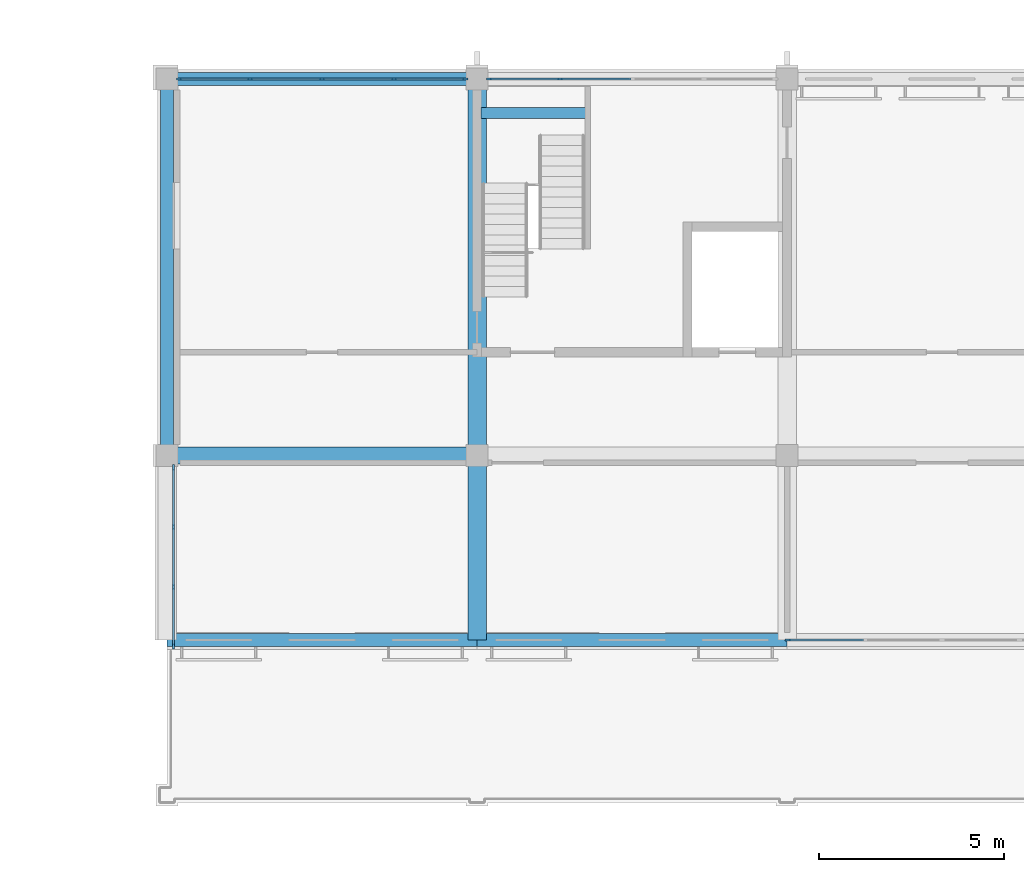
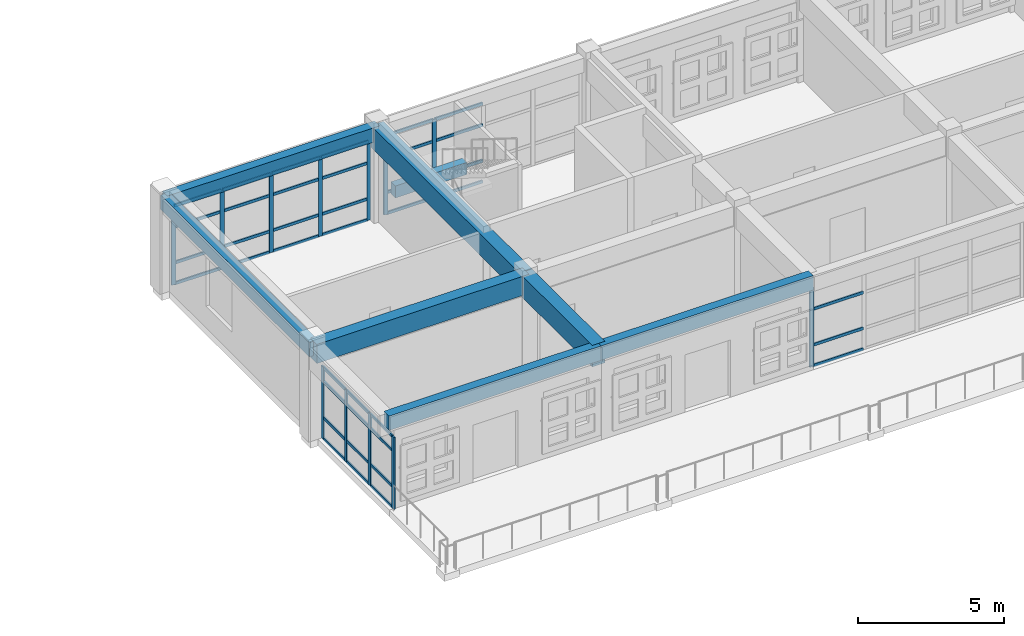
# One storey, part 16 of 71: 51 members, 8 beams, 4 elements without a shape of their own.
"""IFC4 building model written with IfcOpenShell, lengths in metres."""

from ifc_helpers import new_model, si_unit, direction, frame, origin, origin_2d, place, context, subcontext, project, spatial, rectangle, extrude, material, layer, layer_set, material_profile, profile_set, type_object, element, aggregate, save


model = new_model("IFC4")

# Units and contexts
model_context = context("Model", 3, precision=1e-05, world=origin(), true_north=direction((0.0, 1.0)))
body_context = subcontext(model_context, "Body", "Model", "MODEL_VIEW")
ifc_project = project(units=[si_unit("LENGTHUNIT", "METRE"), si_unit("AREAUNIT", "SQUARE_METRE"), si_unit("VOLUMEUNIT", "CUBIC_METRE"), si_unit("PLANEANGLEUNIT", "RADIAN"), si_unit("MASSUNIT", "GRAM", prefix="KILO")], contexts=[model_context])

# Site, building, storey
site_placement = place(None, origin())
site = spatial("IfcSite", under=ifc_project, at=site_placement, CompositionType="ELEMENT")
building_placement = place(site_placement, origin())
building = spatial("IfcBuilding", under=site, at=building_placement, Name="Wasatch Bagh Community Centre", CompositionType="ELEMENT")
storey_placement = place(building_placement, frame((0.0, 0.0, 12.60009765625)))
storey = spatial("IfcBuildingStorey", under=building, at=storey_placement, Name="L03", CompositionType="ELEMENT", Elevation=12.60009765625)

# Beams
ifc_material_1 = material(Name="Concrete C35", Category="concrete")
ifc_material_profile_1 = material_profile(ifc_material_1, rectangle(XDim=0.300048828125, YDim=0.5, at=origin_2d()), Name="RC 300x500")
ifc_profile_set_1 = profile_set([ifc_material_profile_1], Name="Concrete C35")
beam_type_1 = type_object("IfcBeamType", Name="LW RC 300x500", PredefinedType="BEAM", material=ifc_profile_set_1)
beam_1_placement = place(storey_placement, frame((80.905029296875, 96.8798828125, 1.64990234375), z_axis=(1.0, 0.0, 0.0), x_axis=(0.0, 1.0, 0.0)))
element("IfcBeam", 1, at=beam_1_placement, inside=storey, type_object=beam_type_1, Name="LW.lbeam.L03.C1", PredefinedType="BEAM", context=body_context, shape_type="SweptSolid", body=[
    extrude(rectangle(XDim=0.300048828125, YDim=0.5, at=origin_2d()), origin(), (0.0, 0.0, 1.0), 2.840087890625),
])
ifc_material_profile_2 = material_profile(ifc_material_1, rectangle(XDim=0.35009765625, YDim=0.60009765625, at=origin_2d()), Name="RC 350x600")
ifc_profile_set_2 = profile_set([ifc_material_profile_2], Name="Concrete C35")
beam_type_2 = type_object("IfcBeamType", Name="LW RC 350x600", PredefinedType="BEAM", material=ifc_profile_set_2)
beam_2_placement = place(storey_placement, frame((72.39990234375, 97.800048828125, 3.619873046875), z_axis=(1.0, 0.0, 0.0), x_axis=(0.0, 1.0, 0.0)))
element("IfcBeam", 2, at=beam_2_placement, inside=storey, type_object=beam_type_2, Name="W2-W3N", PredefinedType="BEAM", context=body_context, shape_type="SweptSolid", body=[
    extrude(rectangle(XDim=0.35009765625, YDim=0.60009765625, at=origin_2d()), origin(), (0.0, 0.0, 1.0), 8.400146484375),
])
beam_3_placement = place(storey_placement, frame((72.39990234375, 87.60009765625, 3.619873046875), z_axis=(0.0, 1.0, 0.0), x_axis=(-1.0, 0.0, 0.0)))
element("IfcBeam", 3, at=beam_3_placement, inside=storey, type_object=beam_type_2, Name="W2M-N", PredefinedType="BEAM", context=body_context, shape_type="SweptSolid", body=[
    extrude(rectangle(XDim=0.35009765625, YDim=0.60009765625, at=origin_2d()), origin(), (0.0, 0.0, 1.0), 10.199951171875),
])
beam_4_placement = place(storey_placement, frame((72.39990234375, 82.60009765625, 3.619873046875), z_axis=(1.0, 0.0, 0.0), x_axis=(0.0, 1.0, 0.0)))
element("IfcBeam", 4, at=beam_4_placement, inside=storey, type_object=beam_type_2, Name="W2-W3tip", PredefinedType="BEAM", context=body_context, shape_type="SweptSolid", body=[
    extrude(rectangle(XDim=0.35009765625, YDim=0.60009765625, at=origin_2d()), origin(), (0.0, 0.0, 1.0), 8.400146484375),
])
beam_5_placement = place(storey_placement, frame((80.800048828125, 82.60009765625, 3.619873046875), z_axis=(1.0, 0.0, 0.0), x_axis=(0.0, 1.0, 0.0)))
element("IfcBeam", 5, at=beam_5_placement, inside=storey, type_object=beam_type_2, Name="W3-W4tip", PredefinedType="BEAM", context=body_context, shape_type="SweptSolid", body=[
    extrude(rectangle(XDim=0.35009765625, YDim=0.60009765625, at=origin_2d()), origin(), (0.0, 0.0, 1.0), 8.39990234375),
])
ifc_material_profile_3 = material_profile(ifc_material_1, rectangle(XDim=0.449951171875, YDim=0.800048828125, at=origin_2d()), Name="RC 450x800")
ifc_profile_set_3 = profile_set([ifc_material_profile_3], Name="Concrete C35")
beam_type_3 = type_object("IfcBeamType", Name="LW RC 450x800", PredefinedType="BEAM", material=ifc_profile_set_3)
beam_6_placement = place(storey_placement, frame((72.39990234375, 87.60009765625, 3.52001953125), z_axis=(1.0, 0.0, 0.0), x_axis=(0.0, 1.0, 0.0)))
element("IfcBeam", 6, at=beam_6_placement, inside=storey, type_object=beam_type_3, Name="W2-W3M", PredefinedType="BEAM", context=body_context, shape_type="SweptSolid", body=[
    extrude(rectangle(XDim=0.449951171875, YDim=0.800048828125, at=origin_2d()), origin(), (0.0, 0.0, 1.0), 8.400146484375),
])
ifc_material_profile_4 = material_profile(ifc_material_1, rectangle(XDim=0.5, YDim=0.89990234375, at=origin_2d()), Name="RC 500x900")
ifc_profile_set_4 = profile_set([ifc_material_profile_4], Name="Concrete C35")
beam_type_4 = type_object("IfcBeamType", Name="LW RC 500x900", PredefinedType="BEAM", material=ifc_profile_set_4)
beam_7_placement = place(storey_placement, frame((80.800048828125, 87.60009765625, 3.469970703125), z_axis=(0.0, 1.0, 0.0), x_axis=(-1.0, 0.0, 0.0)))
element("IfcBeam", 7, at=beam_7_placement, inside=storey, type_object=beam_type_4, Name="W3M-N", PredefinedType="BEAM", context=body_context, shape_type="SweptSolid", body=[
    extrude(rectangle(XDim=0.5, YDim=0.89990234375, at=origin_2d()), origin(), (0.0, 0.0, 1.0), 10.199951171875),
])
beam_8_placement = place(storey_placement, frame((80.800048828125, 87.60009765625, 3.469970703125), z_axis=(0.0, -1.0, 0.0), x_axis=(1.0, 0.0, 0.0)))
element("IfcBeam", 8, at=beam_8_placement, inside=storey, type_object=beam_type_4, Name="W3M-tip", PredefinedType="BEAM", context=body_context, shape_type="SweptSolid", body=[
    extrude(rectangle(XDim=0.5, YDim=0.89990234375, at=origin_2d()), origin(), (0.0, 0.0, 1.0), 5.0),
])

# Curtain wall, members
ifc_material_2 = material(Name="Aluminium curtain wall frame with low-iron glass", Category="aluminium")
ifc_layer_1 = layer(ifc_material_2, 0.10009765625)
ifc_layer_set_1 = layer_set([ifc_layer_1], Name="Aluminium curtain wall frame with low-iron glass")
curtain_wall_type_1 = type_object("IfcCurtainWallType", Name="LW curtain wall 100", PredefinedType="NOTDEFINED", material=ifc_layer_set_1)
curtain_wall_1_placement = place(storey_placement, origin())
curtain_wall_1 = element("IfcCurtainWall", 9, at=curtain_wall_1_placement, inside=storey, type_object=curtain_wall_type_1, Name="Curtain wall 03.03", PredefinedType="NOTDEFINED")
ifc_material_3 = material(Name="Aluminium extrusion", Category="aluminium")
ifc_material_profile_5 = material_profile(ifc_material_3, rectangle(XDim=0.06005859375, YDim=0.159912109375, at=origin_2d()), Name="AL 60x160")
ifc_profile_set_5 = profile_set([ifc_material_profile_5], Name="Aluminium extrusion")
member_type_1 = type_object("IfcMemberType", Name="LW curtain wall mullion 60x160", PredefinedType="MULLION", material=ifc_profile_set_5)
member_1_placement = place(storey_placement, frame((81.1298828125, 97.800048828125, 0.0), z_axis=(0.0, 0.0, 1.0), x_axis=(0.0, 1.0, 0.0)))
member_1 = element("IfcMember", 10, at=member_1_placement, type_object=member_type_1, Name="LW-CW1 mullion 1", PredefinedType="MULLION", context=body_context, shape_type="SweptSolid", body=[
    extrude(rectangle(XDim=0.06005859375, YDim=0.159912109375, at=origin_2d()), origin(), (0.0, 0.0, 1.0), 3.31982421875),
])
member_2_placement = place(storey_placement, frame((83.050048828125, 97.800048828125, 0.0), z_axis=(0.0, 0.0, 1.0), x_axis=(0.0, 1.0, 0.0)))
member_2 = element("IfcMember", 11, at=member_2_placement, type_object=member_type_1, Name="LW-CW1 mullion 2", PredefinedType="MULLION", context=body_context, shape_type="SweptSolid", body=[
    extrude(rectangle(XDim=0.06005859375, YDim=0.159912109375, at=origin_2d()), origin(), (0.0, 0.0, 1.0), 3.31982421875),
])

ifc_layer_2 = layer(ifc_material_2, 0.1201171875)
ifc_layer_set_2 = layer_set([ifc_layer_2], Name="Aluminium curtain wall frame with low-iron glass")
curtain_wall_type_2 = type_object("IfcCurtainWallType", Name="LW study front curtain wall 120", PredefinedType="NOTDEFINED", material=ifc_layer_set_2)
curtain_wall_2_placement = place(storey_placement, origin())
curtain_wall_2 = element("IfcCurtainWall", 12, at=curtain_wall_2_placement, inside=storey, type_object=curtain_wall_type_2, Name="Curtain wall 03.02", PredefinedType="NOTDEFINED")
ifc_material_profile_6 = material_profile(ifc_material_3, rectangle(XDim=0.06005859375, YDim=0.159912109375, at=origin_2d()), Name="AL 60x160")
ifc_profile_set_6 = profile_set([ifc_material_profile_6], Name="Aluminium extrusion")
member_type_2 = type_object("IfcMemberType", Name="LW curtain wall mullion 60x160 LW-CW2", PredefinedType="MULLION", material=ifc_profile_set_6)
member_3_placement = place(storey_placement, frame((72.72998046875, 97.800048828125, 0.0), z_axis=(0.0, 0.0, 1.0), x_axis=(0.0, 1.0, 0.0)))
member_3 = element("IfcMember", 13, at=member_3_placement, type_object=member_type_2, Name="LW-CW2 mullion 1", PredefinedType="MULLION", context=body_context, shape_type="SweptSolid", body=[
    extrude(rectangle(XDim=0.06005859375, YDim=0.159912109375, at=origin_2d()), origin(), (0.0, 0.0, 1.0), 3.31982421875),
])
member_4_placement = place(storey_placement, frame((74.64990234375, 97.800048828125, 0.0), z_axis=(0.0, 0.0, 1.0), x_axis=(0.0, 1.0, 0.0)))
member_4 = element("IfcMember", 14, at=member_4_placement, type_object=member_type_2, Name="LW-CW2 mullion 2", PredefinedType="MULLION", context=body_context, shape_type="SweptSolid", body=[
    extrude(rectangle(XDim=0.06005859375, YDim=0.159912109375, at=origin_2d()), origin(), (0.0, 0.0, 1.0), 3.31982421875),
])
member_5_placement = place(storey_placement, frame((76.60009765625, 97.800048828125, 0.0), z_axis=(0.0, 0.0, 1.0), x_axis=(0.0, 1.0, 0.0)))
member_5 = element("IfcMember", 15, at=member_5_placement, type_object=member_type_2, Name="LW-CW2 mullion 3", PredefinedType="MULLION", context=body_context, shape_type="SweptSolid", body=[
    extrude(rectangle(XDim=0.06005859375, YDim=0.159912109375, at=origin_2d()), origin(), (0.0, 0.0, 1.0), 3.31982421875),
])
member_6_placement = place(storey_placement, frame((78.550048828125, 97.800048828125, 0.0), z_axis=(0.0, 0.0, 1.0), x_axis=(0.0, 1.0, 0.0)))
member_6 = element("IfcMember", 16, at=member_6_placement, type_object=member_type_2, Name="LW-CW2 mullion 4", PredefinedType="MULLION", context=body_context, shape_type="SweptSolid", body=[
    extrude(rectangle(XDim=0.06005859375, YDim=0.159912109375, at=origin_2d()), origin(), (0.0, 0.0, 1.0), 3.31982421875),
])
member_7_placement = place(storey_placement, frame((80.469970703125, 97.800048828125, 0.0), z_axis=(0.0, 0.0, 1.0), x_axis=(0.0, 1.0, 0.0)))
member_7 = element("IfcMember", 17, at=member_7_placement, type_object=member_type_2, Name="LW-CW2 mullion 5", PredefinedType="MULLION", context=body_context, shape_type="SweptSolid", body=[
    extrude(rectangle(XDim=0.06005859375, YDim=0.159912109375, at=origin_2d()), origin(), (0.0, 0.0, 1.0), 3.31982421875),
])

# Curtain wall, member
ifc_layer_3 = layer(ifc_material_2, 0.139892578125)
ifc_layer_set_3 = layer_set([ifc_layer_3], Name="Aluminium curtain wall frame with low-iron glass")
curtain_wall_type_3 = type_object("IfcCurtainWallType", Name="LW terrace front curtain wall 140", PredefinedType="NOTDEFINED", material=ifc_layer_set_3)
curtain_wall_3_placement = place(storey_placement, origin())
curtain_wall_3 = element("IfcCurtainWall", 18, at=curtain_wall_3_placement, inside=storey, type_object=curtain_wall_type_3, Name="Curtain wall 03.01", PredefinedType="NOTDEFINED")
ifc_material_profile_7 = material_profile(ifc_material_3, rectangle(XDim=0.06005859375, YDim=0.159912109375, at=origin_2d()), Name="AL 60x160")
ifc_profile_set_7 = profile_set([ifc_material_profile_7], Name="Aluminium extrusion")
member_type_3 = type_object("IfcMemberType", Name="LW curtain wall mullion 60x160 LW-CW3", PredefinedType="MULLION", material=ifc_profile_set_7)
member_8_placement = place(storey_placement, frame((89.22998046875, 82.60009765625, 0.0), z_axis=(0.0, 0.0, 1.0), x_axis=(0.0, 1.0, 0.0)))
member_8 = element("IfcMember", 19, at=member_8_placement, type_object=member_type_3, Name="LW-CW3 mullion 1", PredefinedType="MULLION", context=body_context, shape_type="SweptSolid", body=[
    extrude(rectangle(XDim=0.06005859375, YDim=0.159912109375, at=origin_2d()), origin(), (0.0, 0.0, 1.0), 3.31982421875),
])

# Curtain wall, members
ifc_layer_4 = layer(ifc_material_2, 0.159912109375)
ifc_layer_set_4 = layer_set([ifc_layer_4], Name="Aluminium curtain wall frame with low-iron glass")
curtain_wall_type_4 = type_object("IfcCurtainWallType", Name="LW gable curtain wall 160", PredefinedType="NOTDEFINED", material=ifc_layer_set_4)
curtain_wall_4_placement = place(storey_placement, origin())
curtain_wall_4 = element("IfcCurtainWall", 20, at=curtain_wall_4_placement, inside=storey, type_object=curtain_wall_type_4, Name="Curtain wall 03.06", PredefinedType="NOTDEFINED")
ifc_material_profile_8 = material_profile(ifc_material_3, rectangle(XDim=0.06005859375, YDim=0.159912109375, at=origin_2d()), Name="AL 60x160")
ifc_profile_set_8 = profile_set([ifc_material_profile_8], Name="Aluminium extrusion")
member_type_4 = type_object("IfcMemberType", Name="LW curtain wall mullion 60x160 LW-CW4", PredefinedType="MULLION", material=ifc_profile_set_8)
member_9_placement = place(storey_placement, frame((72.574951171875, 82.429931640625, 0.0), z_axis=(0.0, 0.0, 1.0), x_axis=(-1.0, 0.0, 0.0)))
member_9 = element("IfcMember", 21, at=member_9_placement, type_object=member_type_4, Name="LW-CW4 mullion 1", PredefinedType="MULLION", context=body_context, shape_type="SweptSolid", body=[
    extrude(rectangle(XDim=0.06005859375, YDim=0.159912109375, at=origin_2d()), origin(), (0.0, 0.0, 1.0), 3.02001953125),
])
member_10_placement = place(storey_placement, frame((72.574951171875, 84.033447265625, 0.0), z_axis=(0.0, 0.0, 1.0), x_axis=(-1.0, 0.0, 0.0)))
member_10 = element("IfcMember", 22, at=member_10_placement, type_object=member_type_4, Name="LW-CW4 mullion 2", PredefinedType="MULLION", context=body_context, shape_type="SweptSolid", body=[
    extrude(rectangle(XDim=0.06005859375, YDim=0.159912109375, at=origin_2d()), origin(), (0.0, 0.0, 1.0), 3.02001953125),
])
member_11_placement = place(storey_placement, frame((72.574951171875, 85.666748046875, 0.0), z_axis=(0.0, 0.0, 1.0), x_axis=(-1.0, 0.0, 0.0)))
member_11 = element("IfcMember", 23, at=member_11_placement, type_object=member_type_4, Name="LW-CW4 mullion 3", PredefinedType="MULLION", context=body_context, shape_type="SweptSolid", body=[
    extrude(rectangle(XDim=0.06005859375, YDim=0.159912109375, at=origin_2d()), origin(), (0.0, 0.0, 1.0), 3.02001953125),
])
member_12_placement = place(storey_placement, frame((72.574951171875, 87.27001953125, 0.0), z_axis=(0.0, 0.0, 1.0), x_axis=(-1.0, 0.0, 0.0)))
member_12 = element("IfcMember", 24, at=member_12_placement, type_object=member_type_4, Name="LW-CW4 mullion 4", PredefinedType="MULLION", context=body_context, shape_type="SweptSolid", body=[
    extrude(rectangle(XDim=0.06005859375, YDim=0.159912109375, at=origin_2d()), origin(), (0.0, 0.0, 1.0), 3.02001953125),
])

# Member
ifc_material_profile_9 = material_profile(ifc_material_3, rectangle(XDim=0.06005859375, YDim=0.1201171875, at=origin_2d()), Name="AL 60x120")
ifc_profile_set_9 = profile_set([ifc_material_profile_9], Name="Aluminium extrusion")
member_type_5 = type_object("IfcMemberType", Name="LW curtain wall transom 60x120", PredefinedType="USERDEFINED", material=ifc_profile_set_9)
member_13_placement = place(storey_placement, frame((81.159912109375, 97.800048828125, 0.02978515625), z_axis=(1.0, 0.0, 0.0), x_axis=(0.0, 1.0, 0.0)))
member_13 = element("IfcMember", 25, at=member_13_placement, type_object=member_type_5, Name="LW-CW1 transom 1.1", ObjectType="TRANSOM", PredefinedType="USERDEFINED", context=body_context, shape_type="SweptSolid", body=[
    extrude(rectangle(XDim=0.06005859375, YDim=0.1201171875, at=origin_2d()), origin(), (0.0, 0.0, 1.0), 1.860107421875),
])

member_14_placement = place(storey_placement, frame((81.159912109375, 97.800048828125, 0.89990234375), z_axis=(1.0, 0.0, 0.0), x_axis=(0.0, 1.0, 0.0)))
member_14 = element("IfcMember", 26, at=member_14_placement, type_object=member_type_5, Name="LW-CW1 transom 1.2", ObjectType="TRANSOM", PredefinedType="USERDEFINED", context=body_context, shape_type="SweptSolid", body=[
    extrude(rectangle(XDim=0.06005859375, YDim=0.1201171875, at=origin_2d()), origin(), (0.0, 0.0, 1.0), 1.860107421875),
])

member_15_placement = place(storey_placement, frame((81.159912109375, 97.800048828125, 2.39990234375), z_axis=(1.0, 0.0, 0.0), x_axis=(0.0, 1.0, 0.0)))
member_15 = element("IfcMember", 27, at=member_15_placement, type_object=member_type_5, Name="LW-CW1 transom 1.3", ObjectType="TRANSOM", PredefinedType="USERDEFINED", context=body_context, shape_type="SweptSolid", body=[
    extrude(rectangle(XDim=0.06005859375, YDim=0.1201171875, at=origin_2d()), origin(), (0.0, 0.0, 1.0), 1.860107421875),
])

member_16_placement = place(storey_placement, frame((81.159912109375, 97.800048828125, 3.289794921875), z_axis=(1.0, 0.0, 0.0), x_axis=(0.0, 1.0, 0.0)))
member_16 = element("IfcMember", 28, at=member_16_placement, type_object=member_type_5, Name="LW-CW1 transom 1.4", ObjectType="TRANSOM", PredefinedType="USERDEFINED", context=body_context, shape_type="SweptSolid", body=[
    extrude(rectangle(XDim=0.06005859375, YDim=0.1201171875, at=origin_2d()), origin(), (0.0, 0.0, 1.0), 1.860107421875),
])

member_17_placement = place(storey_placement, frame((83.080078125, 97.800048828125, 0.02978515625), z_axis=(1.0, 0.0, 0.0), x_axis=(0.0, 1.0, 0.0)))
member_17 = element("IfcMember", 29, at=member_17_placement, type_object=member_type_5, Name="LW-CW1 transom 2.1", ObjectType="TRANSOM", PredefinedType="USERDEFINED", context=body_context, shape_type="SweptSolid", body=[
    extrude(rectangle(XDim=0.06005859375, YDim=0.1201171875, at=origin_2d()), origin(), (0.0, 0.0, 1.0), 1.889892578125),
])

member_18_placement = place(storey_placement, frame((83.080078125, 97.800048828125, 0.89990234375), z_axis=(1.0, 0.0, 0.0), x_axis=(0.0, 1.0, 0.0)))
member_18 = element("IfcMember", 30, at=member_18_placement, type_object=member_type_5, Name="LW-CW1 transom 2.2", ObjectType="TRANSOM", PredefinedType="USERDEFINED", context=body_context, shape_type="SweptSolid", body=[
    extrude(rectangle(XDim=0.06005859375, YDim=0.1201171875, at=origin_2d()), origin(), (0.0, 0.0, 1.0), 1.889892578125),
])

member_19_placement = place(storey_placement, frame((83.080078125, 97.800048828125, 2.39990234375), z_axis=(1.0, 0.0, 0.0), x_axis=(0.0, 1.0, 0.0)))
member_19 = element("IfcMember", 31, at=member_19_placement, type_object=member_type_5, Name="LW-CW1 transom 2.3", ObjectType="TRANSOM", PredefinedType="USERDEFINED", context=body_context, shape_type="SweptSolid", body=[
    extrude(rectangle(XDim=0.06005859375, YDim=0.1201171875, at=origin_2d()), origin(), (0.0, 0.0, 1.0), 1.889892578125),
])

member_20_placement = place(storey_placement, frame((83.080078125, 97.800048828125, 3.289794921875), z_axis=(1.0, 0.0, 0.0), x_axis=(0.0, 1.0, 0.0)))
member_20 = element("IfcMember", 32, at=member_20_placement, type_object=member_type_5, Name="LW-CW1 transom 2.4", ObjectType="TRANSOM", PredefinedType="USERDEFINED", context=body_context, shape_type="SweptSolid", body=[
    extrude(rectangle(XDim=0.06005859375, YDim=0.1201171875, at=origin_2d()), origin(), (0.0, 0.0, 1.0), 1.889892578125),
])

aggregate(curtain_wall_1, [member_1, member_2, member_13, member_14, member_15, member_16, member_17, member_18, member_19, member_20])

ifc_material_profile_10 = material_profile(ifc_material_3, rectangle(XDim=0.06005859375, YDim=0.1201171875, at=origin_2d()), Name="AL 60x120")
ifc_profile_set_10 = profile_set([ifc_material_profile_10], Name="Aluminium extrusion")
member_type_6 = type_object("IfcMemberType", Name="LW curtain wall transom 60x120 LW-CW2", PredefinedType="USERDEFINED", material=ifc_profile_set_10)
member_21_placement = place(storey_placement, frame((72.760009765625, 97.800048828125, 0.02978515625), z_axis=(1.0, 0.0, 0.0), x_axis=(0.0, 1.0, 0.0)))
member_21 = element("IfcMember", 33, at=member_21_placement, type_object=member_type_6, Name="LW-CW2 transom 1.1", ObjectType="TRANSOM", PredefinedType="USERDEFINED", context=body_context, shape_type="SweptSolid", body=[
    extrude(rectangle(XDim=0.06005859375, YDim=0.1201171875, at=origin_2d()), origin(), (0.0, 0.0, 1.0), 1.860107421875),
])

member_22_placement = place(storey_placement, frame((72.760009765625, 97.800048828125, 0.89990234375), z_axis=(1.0, 0.0, 0.0), x_axis=(0.0, 1.0, 0.0)))
member_22 = element("IfcMember", 34, at=member_22_placement, type_object=member_type_6, Name="LW-CW2 transom 1.2", ObjectType="TRANSOM", PredefinedType="USERDEFINED", context=body_context, shape_type="SweptSolid", body=[
    extrude(rectangle(XDim=0.06005859375, YDim=0.1201171875, at=origin_2d()), origin(), (0.0, 0.0, 1.0), 1.860107421875),
])

member_23_placement = place(storey_placement, frame((72.760009765625, 97.800048828125, 2.39990234375), z_axis=(1.0, 0.0, 0.0), x_axis=(0.0, 1.0, 0.0)))
member_23 = element("IfcMember", 35, at=member_23_placement, type_object=member_type_6, Name="LW-CW2 transom 1.3", ObjectType="TRANSOM", PredefinedType="USERDEFINED", context=body_context, shape_type="SweptSolid", body=[
    extrude(rectangle(XDim=0.06005859375, YDim=0.1201171875, at=origin_2d()), origin(), (0.0, 0.0, 1.0), 1.860107421875),
])

member_24_placement = place(storey_placement, frame((72.760009765625, 97.800048828125, 3.289794921875), z_axis=(1.0, 0.0, 0.0), x_axis=(0.0, 1.0, 0.0)))
member_24 = element("IfcMember", 36, at=member_24_placement, type_object=member_type_6, Name="LW-CW2 transom 1.4", ObjectType="TRANSOM", PredefinedType="USERDEFINED", context=body_context, shape_type="SweptSolid", body=[
    extrude(rectangle(XDim=0.06005859375, YDim=0.1201171875, at=origin_2d()), origin(), (0.0, 0.0, 1.0), 1.860107421875),
])

member_25_placement = place(storey_placement, frame((74.679931640625, 97.800048828125, 0.02978515625), z_axis=(1.0, 0.0, 0.0), x_axis=(0.0, 1.0, 0.0)))
member_25 = element("IfcMember", 37, at=member_25_placement, type_object=member_type_6, Name="LW-CW2 transom 2.1", ObjectType="TRANSOM", PredefinedType="USERDEFINED", context=body_context, shape_type="SweptSolid", body=[
    extrude(rectangle(XDim=0.06005859375, YDim=0.1201171875, at=origin_2d()), origin(), (0.0, 0.0, 1.0), 1.89013671875),
])

member_26_placement = place(storey_placement, frame((74.679931640625, 97.800048828125, 0.89990234375), z_axis=(1.0, 0.0, 0.0), x_axis=(0.0, 1.0, 0.0)))
member_26 = element("IfcMember", 38, at=member_26_placement, type_object=member_type_6, Name="LW-CW2 transom 2.2", ObjectType="TRANSOM", PredefinedType="USERDEFINED", context=body_context, shape_type="SweptSolid", body=[
    extrude(rectangle(XDim=0.06005859375, YDim=0.1201171875, at=origin_2d()), origin(), (0.0, 0.0, 1.0), 1.89013671875),
])

member_27_placement = place(storey_placement, frame((74.679931640625, 97.800048828125, 2.39990234375), z_axis=(1.0, 0.0, 0.0), x_axis=(0.0, 1.0, 0.0)))
member_27 = element("IfcMember", 39, at=member_27_placement, type_object=member_type_6, Name="LW-CW2 transom 2.3", ObjectType="TRANSOM", PredefinedType="USERDEFINED", context=body_context, shape_type="SweptSolid", body=[
    extrude(rectangle(XDim=0.06005859375, YDim=0.1201171875, at=origin_2d()), origin(), (0.0, 0.0, 1.0), 1.89013671875),
])

member_28_placement = place(storey_placement, frame((74.679931640625, 97.800048828125, 3.289794921875), z_axis=(1.0, 0.0, 0.0), x_axis=(0.0, 1.0, 0.0)))
member_28 = element("IfcMember", 40, at=member_28_placement, type_object=member_type_6, Name="LW-CW2 transom 2.4", ObjectType="TRANSOM", PredefinedType="USERDEFINED", context=body_context, shape_type="SweptSolid", body=[
    extrude(rectangle(XDim=0.06005859375, YDim=0.1201171875, at=origin_2d()), origin(), (0.0, 0.0, 1.0), 1.89013671875),
])

member_29_placement = place(storey_placement, frame((76.6298828125, 97.800048828125, 0.02978515625), z_axis=(1.0, 0.0, 0.0), x_axis=(0.0, 1.0, 0.0)))
member_29 = element("IfcMember", 41, at=member_29_placement, type_object=member_type_6, Name="LW-CW2 transom 3.1", ObjectType="TRANSOM", PredefinedType="USERDEFINED", context=body_context, shape_type="SweptSolid", body=[
    extrude(rectangle(XDim=0.06005859375, YDim=0.1201171875, at=origin_2d()), origin(), (0.0, 0.0, 1.0), 1.89013671875),
])

member_30_placement = place(storey_placement, frame((76.6298828125, 97.800048828125, 0.89990234375), z_axis=(1.0, 0.0, 0.0), x_axis=(0.0, 1.0, 0.0)))
member_30 = element("IfcMember", 42, at=member_30_placement, type_object=member_type_6, Name="LW-CW2 transom 3.2", ObjectType="TRANSOM", PredefinedType="USERDEFINED", context=body_context, shape_type="SweptSolid", body=[
    extrude(rectangle(XDim=0.06005859375, YDim=0.1201171875, at=origin_2d()), origin(), (0.0, 0.0, 1.0), 1.89013671875),
])

member_31_placement = place(storey_placement, frame((76.6298828125, 97.800048828125, 2.39990234375), z_axis=(1.0, 0.0, 0.0), x_axis=(0.0, 1.0, 0.0)))
member_31 = element("IfcMember", 43, at=member_31_placement, type_object=member_type_6, Name="LW-CW2 transom 3.3", ObjectType="TRANSOM", PredefinedType="USERDEFINED", context=body_context, shape_type="SweptSolid", body=[
    extrude(rectangle(XDim=0.06005859375, YDim=0.1201171875, at=origin_2d()), origin(), (0.0, 0.0, 1.0), 1.89013671875),
])

member_32_placement = place(storey_placement, frame((76.6298828125, 97.800048828125, 3.289794921875), z_axis=(1.0, 0.0, 0.0), x_axis=(0.0, 1.0, 0.0)))
member_32 = element("IfcMember", 44, at=member_32_placement, type_object=member_type_6, Name="LW-CW2 transom 3.4", ObjectType="TRANSOM", PredefinedType="USERDEFINED", context=body_context, shape_type="SweptSolid", body=[
    extrude(rectangle(XDim=0.06005859375, YDim=0.1201171875, at=origin_2d()), origin(), (0.0, 0.0, 1.0), 1.89013671875),
])

member_33_placement = place(storey_placement, frame((78.580078125, 97.800048828125, 0.02978515625), z_axis=(1.0, 0.0, 0.0), x_axis=(0.0, 1.0, 0.0)))
member_33 = element("IfcMember", 45, at=member_33_placement, type_object=member_type_6, Name="LW-CW2 transom 4.1", ObjectType="TRANSOM", PredefinedType="USERDEFINED", context=body_context, shape_type="SweptSolid", body=[
    extrude(rectangle(XDim=0.06005859375, YDim=0.1201171875, at=origin_2d()), origin(), (0.0, 0.0, 1.0), 1.85986328125),
])

member_34_placement = place(storey_placement, frame((78.580078125, 97.800048828125, 0.89990234375), z_axis=(1.0, 0.0, 0.0), x_axis=(0.0, 1.0, 0.0)))
member_34 = element("IfcMember", 46, at=member_34_placement, type_object=member_type_6, Name="LW-CW2 transom 4.2", ObjectType="TRANSOM", PredefinedType="USERDEFINED", context=body_context, shape_type="SweptSolid", body=[
    extrude(rectangle(XDim=0.06005859375, YDim=0.1201171875, at=origin_2d()), origin(), (0.0, 0.0, 1.0), 1.85986328125),
])

member_35_placement = place(storey_placement, frame((78.580078125, 97.800048828125, 2.39990234375), z_axis=(1.0, 0.0, 0.0), x_axis=(0.0, 1.0, 0.0)))
member_35 = element("IfcMember", 47, at=member_35_placement, type_object=member_type_6, Name="LW-CW2 transom 4.3", ObjectType="TRANSOM", PredefinedType="USERDEFINED", context=body_context, shape_type="SweptSolid", body=[
    extrude(rectangle(XDim=0.06005859375, YDim=0.1201171875, at=origin_2d()), origin(), (0.0, 0.0, 1.0), 1.85986328125),
])

member_36_placement = place(storey_placement, frame((78.580078125, 97.800048828125, 3.289794921875), z_axis=(1.0, 0.0, 0.0), x_axis=(0.0, 1.0, 0.0)))
member_36 = element("IfcMember", 48, at=member_36_placement, type_object=member_type_6, Name="LW-CW2 transom 4.4", ObjectType="TRANSOM", PredefinedType="USERDEFINED", context=body_context, shape_type="SweptSolid", body=[
    extrude(rectangle(XDim=0.06005859375, YDim=0.1201171875, at=origin_2d()), origin(), (0.0, 0.0, 1.0), 1.85986328125),
])

aggregate(curtain_wall_2, [member_3, member_4, member_5, member_6, member_7, member_21, member_22, member_23, member_24, member_25, member_26, member_27, member_28, member_29, member_30, member_31, member_32, member_33, member_34, member_35, member_36])

ifc_material_profile_11 = material_profile(ifc_material_3, rectangle(XDim=0.06005859375, YDim=0.1201171875, at=origin_2d()), Name="AL 60x120")
ifc_profile_set_11 = profile_set([ifc_material_profile_11], Name="Aluminium extrusion")
member_type_7 = type_object("IfcMemberType", Name="LW curtain wall transom 60x120 LW-CW3", PredefinedType="USERDEFINED", material=ifc_profile_set_11)
member_37_placement = place(storey_placement, frame((89.260009765625, 82.60009765625, 0.02978515625), z_axis=(1.0, 0.0, 0.0), x_axis=(0.0, 1.0, 0.0)))
member_37 = element("IfcMember", 49, at=member_37_placement, type_object=member_type_7, Name="LW-CW3 transom 1.1", ObjectType="TRANSOM", PredefinedType="USERDEFINED", context=body_context, shape_type="SweptSolid", body=[
    extrude(rectangle(XDim=0.06005859375, YDim=0.1201171875, at=origin_2d()), origin(), (0.0, 0.0, 1.0), 2.010009765625),
])

member_38_placement = place(storey_placement, frame((89.260009765625, 82.60009765625, 0.89990234375), z_axis=(1.0, 0.0, 0.0), x_axis=(0.0, 1.0, 0.0)))
member_38 = element("IfcMember", 50, at=member_38_placement, type_object=member_type_7, Name="LW-CW3 transom 1.2", ObjectType="TRANSOM", PredefinedType="USERDEFINED", context=body_context, shape_type="SweptSolid", body=[
    extrude(rectangle(XDim=0.06005859375, YDim=0.1201171875, at=origin_2d()), origin(), (0.0, 0.0, 1.0), 2.010009765625),
])

member_39_placement = place(storey_placement, frame((89.260009765625, 82.60009765625, 2.39990234375), z_axis=(1.0, 0.0, 0.0), x_axis=(0.0, 1.0, 0.0)))
member_39 = element("IfcMember", 51, at=member_39_placement, type_object=member_type_7, Name="LW-CW3 transom 1.3", ObjectType="TRANSOM", PredefinedType="USERDEFINED", context=body_context, shape_type="SweptSolid", body=[
    extrude(rectangle(XDim=0.06005859375, YDim=0.1201171875, at=origin_2d()), origin(), (0.0, 0.0, 1.0), 2.010009765625),
])

aggregate(curtain_wall_3, [member_8, member_37, member_38, member_39])

ifc_material_profile_12 = material_profile(ifc_material_3, rectangle(XDim=0.06005859375, YDim=0.1201171875, at=origin_2d()), Name="AL 60x120")
ifc_profile_set_12 = profile_set([ifc_material_profile_12], Name="Aluminium extrusion")
member_type_8 = type_object("IfcMemberType", Name="LW curtain wall transom 60x120 LW-CW4", PredefinedType="USERDEFINED", material=ifc_profile_set_12)
member_40_placement = place(storey_placement, frame((72.574951171875, 82.4599609375, 0.02978515625), z_axis=(0.0, 1.0, 0.0), x_axis=(-1.0, 0.0, 0.0)))
member_40 = element("IfcMember", 52, at=member_40_placement, type_object=member_type_8, Name="LW-CW4 transom 1.1", ObjectType="TRANSOM", PredefinedType="USERDEFINED", context=body_context, shape_type="SweptSolid", body=[
    extrude(rectangle(XDim=0.06005859375, YDim=0.1201171875, at=origin_2d()), origin(), (0.0, 0.0, 1.0), 1.54345703125),
])

member_41_placement = place(storey_placement, frame((72.574951171875, 82.4599609375, 0.89990234375), z_axis=(0.0, 1.0, 0.0), x_axis=(-1.0, 0.0, 0.0)))
member_41 = element("IfcMember", 53, at=member_41_placement, type_object=member_type_8, Name="LW-CW4 transom 1.2", ObjectType="TRANSOM", PredefinedType="USERDEFINED", context=body_context, shape_type="SweptSolid", body=[
    extrude(rectangle(XDim=0.06005859375, YDim=0.1201171875, at=origin_2d()), origin(), (0.0, 0.0, 1.0), 1.54345703125),
])

member_42_placement = place(storey_placement, frame((72.574951171875, 82.4599609375, 2.39990234375), z_axis=(0.0, 1.0, 0.0), x_axis=(-1.0, 0.0, 0.0)))
member_42 = element("IfcMember", 54, at=member_42_placement, type_object=member_type_8, Name="LW-CW4 transom 1.3", ObjectType="TRANSOM", PredefinedType="USERDEFINED", context=body_context, shape_type="SweptSolid", body=[
    extrude(rectangle(XDim=0.06005859375, YDim=0.1201171875, at=origin_2d()), origin(), (0.0, 0.0, 1.0), 1.54345703125),
])

member_43_placement = place(storey_placement, frame((72.574951171875, 82.4599609375, 2.989990234375), z_axis=(0.0, 1.0, 0.0), x_axis=(-1.0, 0.0, 0.0)))
member_43 = element("IfcMember", 55, at=member_43_placement, type_object=member_type_8, Name="LW-CW4 transom 1.4", ObjectType="TRANSOM", PredefinedType="USERDEFINED", context=body_context, shape_type="SweptSolid", body=[
    extrude(rectangle(XDim=0.06005859375, YDim=0.1201171875, at=origin_2d()), origin(), (0.0, 0.0, 1.0), 1.54345703125),
])

member_44_placement = place(storey_placement, frame((72.574951171875, 84.063232421875, 0.02978515625), z_axis=(0.0, 1.0, 0.0), x_axis=(-1.0, 0.0, 0.0)))
member_44 = element("IfcMember", 56, at=member_44_placement, type_object=member_type_8, Name="LW-CW4 transom 2.1", ObjectType="TRANSOM", PredefinedType="USERDEFINED", context=body_context, shape_type="SweptSolid", body=[
    extrude(rectangle(XDim=0.06005859375, YDim=0.1201171875, at=origin_2d()), origin(), (0.0, 0.0, 1.0), 1.573486328125),
])

member_45_placement = place(storey_placement, frame((72.574951171875, 84.063232421875, 0.89990234375), z_axis=(0.0, 1.0, 0.0), x_axis=(-1.0, 0.0, 0.0)))
member_45 = element("IfcMember", 57, at=member_45_placement, type_object=member_type_8, Name="LW-CW4 transom 2.2", ObjectType="TRANSOM", PredefinedType="USERDEFINED", context=body_context, shape_type="SweptSolid", body=[
    extrude(rectangle(XDim=0.06005859375, YDim=0.1201171875, at=origin_2d()), origin(), (0.0, 0.0, 1.0), 1.573486328125),
])

member_46_placement = place(storey_placement, frame((72.574951171875, 84.063232421875, 2.39990234375), z_axis=(0.0, 1.0, 0.0), x_axis=(-1.0, 0.0, 0.0)))
member_46 = element("IfcMember", 58, at=member_46_placement, type_object=member_type_8, Name="LW-CW4 transom 2.3", ObjectType="TRANSOM", PredefinedType="USERDEFINED", context=body_context, shape_type="SweptSolid", body=[
    extrude(rectangle(XDim=0.06005859375, YDim=0.1201171875, at=origin_2d()), origin(), (0.0, 0.0, 1.0), 1.573486328125),
])

member_47_placement = place(storey_placement, frame((72.574951171875, 84.063232421875, 2.989990234375), z_axis=(0.0, 1.0, 0.0), x_axis=(-1.0, 0.0, 0.0)))
member_47 = element("IfcMember", 59, at=member_47_placement, type_object=member_type_8, Name="LW-CW4 transom 2.4", ObjectType="TRANSOM", PredefinedType="USERDEFINED", context=body_context, shape_type="SweptSolid", body=[
    extrude(rectangle(XDim=0.06005859375, YDim=0.1201171875, at=origin_2d()), origin(), (0.0, 0.0, 1.0), 1.573486328125),
])

member_48_placement = place(storey_placement, frame((72.574951171875, 85.69677734375, 0.02978515625), z_axis=(0.0, 1.0, 0.0), x_axis=(-1.0, 0.0, 0.0)))
member_48 = element("IfcMember", 60, at=member_48_placement, type_object=member_type_8, Name="LW-CW4 transom 3.1", ObjectType="TRANSOM", PredefinedType="USERDEFINED", context=body_context, shape_type="SweptSolid", body=[
    extrude(rectangle(XDim=0.06005859375, YDim=0.1201171875, at=origin_2d()), origin(), (0.0, 0.0, 1.0), 1.543212890625),
])

member_49_placement = place(storey_placement, frame((72.574951171875, 85.69677734375, 0.89990234375), z_axis=(0.0, 1.0, 0.0), x_axis=(-1.0, 0.0, 0.0)))
member_49 = element("IfcMember", 61, at=member_49_placement, type_object=member_type_8, Name="LW-CW4 transom 3.2", ObjectType="TRANSOM", PredefinedType="USERDEFINED", context=body_context, shape_type="SweptSolid", body=[
    extrude(rectangle(XDim=0.06005859375, YDim=0.1201171875, at=origin_2d()), origin(), (0.0, 0.0, 1.0), 1.543212890625),
])

member_50_placement = place(storey_placement, frame((72.574951171875, 85.69677734375, 2.39990234375), z_axis=(0.0, 1.0, 0.0), x_axis=(-1.0, 0.0, 0.0)))
member_50 = element("IfcMember", 62, at=member_50_placement, type_object=member_type_8, Name="LW-CW4 transom 3.3", ObjectType="TRANSOM", PredefinedType="USERDEFINED", context=body_context, shape_type="SweptSolid", body=[
    extrude(rectangle(XDim=0.06005859375, YDim=0.1201171875, at=origin_2d()), origin(), (0.0, 0.0, 1.0), 1.543212890625),
])

member_51_placement = place(storey_placement, frame((72.574951171875, 85.69677734375, 2.989990234375), z_axis=(0.0, 1.0, 0.0), x_axis=(-1.0, 0.0, 0.0)))
member_51 = element("IfcMember", 63, at=member_51_placement, type_object=member_type_8, Name="LW-CW4 transom 3.4", ObjectType="TRANSOM", PredefinedType="USERDEFINED", context=body_context, shape_type="SweptSolid", body=[
    extrude(rectangle(XDim=0.06005859375, YDim=0.1201171875, at=origin_2d()), origin(), (0.0, 0.0, 1.0), 1.543212890625),
])

aggregate(curtain_wall_4, [member_9, member_10, member_11, member_12, member_40, member_41, member_42, member_43, member_44, member_45, member_46, member_47, member_48, member_49, member_50, member_51])

save(model, "model.ifc")
